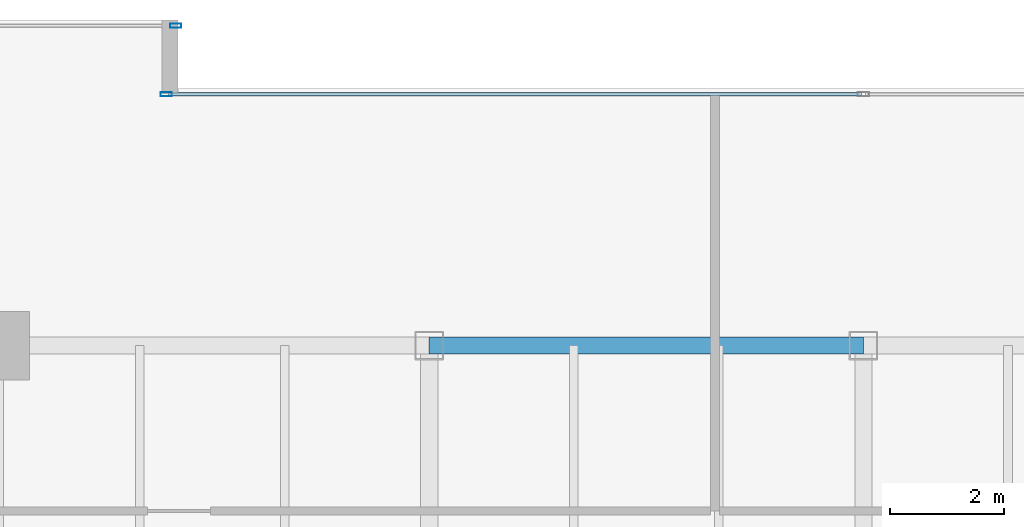
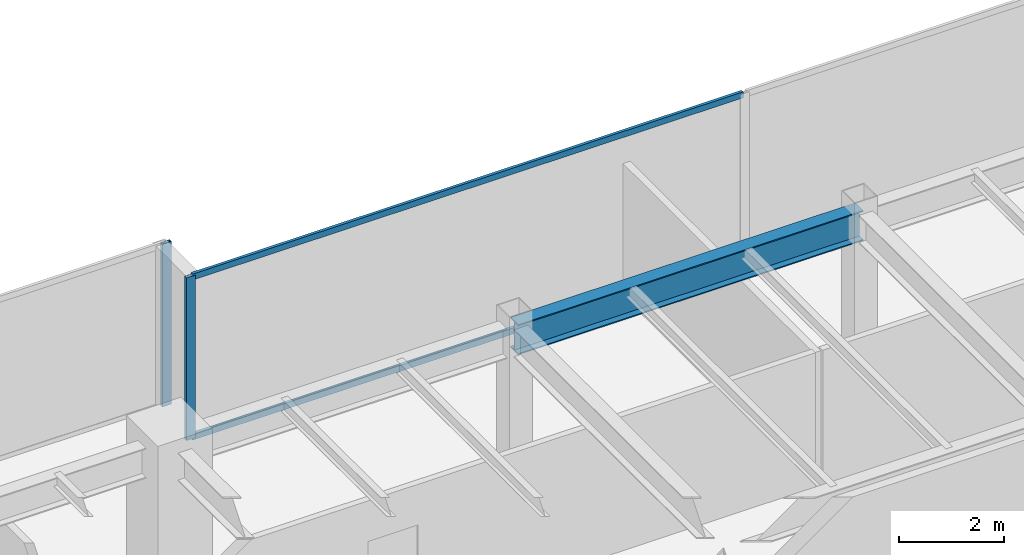
# One storey, part 16 of 30: 4 members, 1 beam, 2 elements without a shape of their own.
"""IFC4 building model written with IfcOpenShell, lengths in metres."""

from ifc_helpers import new_model, si_unit, direction, frame, origin, origin_2d, place, context, subcontext, project, spatial, hollow_rectangle, i_section, extrude, source, transform, mapped, material, layer, layer_set, material_profile, profile_set, type_object, type_shapes, element, aggregate, save


model = new_model("IFC4")

# Units and contexts
model_context = context("Model", 3, precision=1e-05, world=origin(), true_north=direction((0.0, 1.0)))
body_context = subcontext(model_context, "Body", "Model", "MODEL_VIEW")
ifc_project = project(units=[si_unit("LENGTHUNIT", "METRE"), si_unit("AREAUNIT", "SQUARE_METRE"), si_unit("VOLUMEUNIT", "CUBIC_METRE"), si_unit("PLANEANGLEUNIT", "RADIAN"), si_unit("MASSUNIT", "GRAM", prefix="KILO")], contexts=[model_context])

# Site, building, storey
site_placement = place(None, origin())
site = spatial("IfcSite", under=ifc_project, at=site_placement, CompositionType="ELEMENT")
building_placement = place(site_placement, origin())
building = spatial("IfcBuilding", under=site, at=building_placement, Name="Haelvirn Gate Laboratories", CompositionType="ELEMENT")
storey_placement = place(building_placement, frame((0.0, 0.0, 121.5)))
storey = spatial("IfcBuildingStorey", under=building, at=storey_placement, Name="L29", CompositionType="ELEMENT", Elevation=121.5)

# Beam
ifc_material_1 = material(Name="Steel SM355", Category="steel")
ifc_material_profile_1 = material_profile(ifc_material_1, i_section(OverallWidth=0.300048828125, OverallDepth=0.699951171875, WebThickness=0.012939453125, FlangeThickness=0.02392578125, at=origin_2d()), Name="H-700x300x13x24")
ifc_profile_set_1 = profile_set([ifc_material_profile_1], Name="Steel SM355")
beam_type = type_object("IfcBeamType", Name="BM-G-700", PredefinedType="BEAM", material=ifc_profile_set_1)
shared_shape_1 = source(origin(), body_context, "Body", "SweptSolid", [
    extrude(i_section(OverallWidth=0.300048828125, OverallDepth=0.699951171875, WebThickness=0.012939453125, FlangeThickness=0.02392578125, at=origin_2d()), origin(), (0.0, 0.0, 1.0), 7.599853515625),
])
type_shapes(beam_type, [shared_shape_1])
beam_placement = place(storey_placement, frame((29.800048828125, 41.60009765625, 3.43994140625), z_axis=(1.0, 0.0, 0.0), x_axis=(0.0, 1.0, 0.0)))
element("IfcBeam", 1, at=beam_placement, inside=storey, type_object=beam_type, Name="L29 Primary Girder Y41.6 (29.8-37.4)", PredefinedType="BEAM", context=body_context, shape_type="MappedRepresentation", body=[
    mapped(shared_shape_1, transform((0.0, 0.0, 0.0), scale=1.0)),
])

# Curtain wall, members
ifc_material_2 = material(Name="Anodised bronze unitised aluminium & triple low-E glass", Category="aluminium")
ifc_layer = layer(ifc_material_2, 0.179931640625, Name="CW-SYS-3")
ifc_layer_set = layer_set([ifc_layer], Name="Anodised bronze unitised aluminium & triple low-E glass")
curtain_wall_type = type_object("IfcCurtainWallType", Name="CW-SYS-3", PredefinedType="NOTDEFINED", material=ifc_layer_set)
curtain_wall_1_placement = place(storey_placement, origin())
curtain_wall_1 = element("IfcCurtainWall", 2, at=curtain_wall_1_placement, inside=storey, type_object=curtain_wall_type, Name="L29 Unitised Curtain Wall CW-L29-P0-E12-1", PredefinedType="NOTDEFINED")
ifc_material_3 = material(Name="Extruded aluminium 6063-T6 (anodised bronze)", Category="aluminium")
ifc_material_profile_2 = material_profile(ifc_material_3, hollow_rectangle(XDim=0.06494140625, YDim=0.139892578125, WallThickness=0.00390625, at=origin_2d()), Name="CWT-140x65x4")
ifc_profile_set_2 = profile_set([ifc_material_profile_2], Name="Extruded aluminium 6063-T6 (anodised bronze)")
member_type_1 = type_object("IfcMemberType", Name="CWT-T140", PredefinedType="USERDEFINED", material=ifc_profile_set_2)
shared_shape_2 = source(origin(), body_context, "Body", "SweptSolid", [
    extrude(hollow_rectangle(XDim=0.06494140625, YDim=0.139892578125, WallThickness=0.00390625, at=origin_2d()), origin(), (0.0, 0.0, 1.0), 12.12744140625),
])
type_shapes(member_type_1, [shared_shape_2])
member_1_placement = place(storey_placement, frame((25.235107421875, 46.0, 0.032470703125), z_axis=(1.0, 0.0, 0.0), x_axis=(0.0, 1.0, 0.0)))
member_1 = element("IfcMember", 3, at=member_1_placement, type_object=member_type_1, Name="CW3 transom 1.1", ObjectType="TRANSOM", PredefinedType="USERDEFINED", context=body_context, shape_type="MappedRepresentation", body=[
    mapped(shared_shape_2, transform((0.0, 0.0, 0.0), scale=1.0)),
])
member_2_placement = place(storey_placement, frame((25.235107421875, 46.0, 3.757568359375), z_axis=(1.0, 0.0, 0.0), x_axis=(0.0, 1.0, 0.0)))
member_2 = element("IfcMember", 4, at=member_2_placement, type_object=member_type_1, Name="CW3 transom 1.2", ObjectType="TRANSOM", PredefinedType="USERDEFINED", context=body_context, shape_type="MappedRepresentation", body=[
    mapped(shared_shape_2, transform((0.0, 0.0, 0.0), scale=1.0)),
])
ifc_material_profile_3 = material_profile(ifc_material_3, hollow_rectangle(XDim=0.074951171875, YDim=0.199951171875, WallThickness=0.0048828125, at=origin_2d()), Name="CWM-200x75x5")
ifc_profile_set_3 = profile_set([ifc_material_profile_3], Name="Extruded aluminium 6063-T6 (anodised bronze)")
member_type_2 = type_object("IfcMemberType", Name="CWM-T200", PredefinedType="MULLION", material=ifc_profile_set_3)
shared_shape_3 = source(origin(), body_context, "Body", "SweptSolid", [
    extrude(hollow_rectangle(XDim=0.074951171875, YDim=0.199951171875, WallThickness=0.0048828125, at=origin_2d()), origin(), (0.0, 0.0, 1.0), 3.7900390625),
])
type_shapes(member_type_2, [shared_shape_3])
member_3_placement = place(storey_placement, frame((25.197509765625, 46.0, 0.0), z_axis=(0.0, 0.0, 1.0), x_axis=(0.0, 1.0, 0.0)))
member_3 = element("IfcMember", 5, at=member_3_placement, type_object=member_type_2, Name="CW3 mullion 1", PredefinedType="MULLION", context=body_context, shape_type="MappedRepresentation", body=[
    mapped(shared_shape_3, transform((0.0, 0.0, 0.0), scale=1.0)),
])
aggregate(curtain_wall_1, [member_3, member_1, member_2])

# Curtain wall, member
curtain_wall_2_placement = place(storey_placement, origin())
curtain_wall_2 = element("IfcCurtainWall", 6, at=curtain_wall_2_placement, inside=storey, type_object=curtain_wall_type, Name="L29 Unitised Curtain Wall CW-L29-P0-E14-1", PredefinedType="NOTDEFINED")
member_4_placement = place(storey_placement, frame((25.362548828125, 47.199951171875, 0.0), z_axis=(0.0, 0.0, 1.0), x_axis=(0.0, 1.0, 0.0)))
member_4 = element("IfcMember", 7, at=member_4_placement, type_object=member_type_2, Name="CW3 mullion 3", PredefinedType="MULLION", context=body_context, shape_type="MappedRepresentation", body=[
    mapped(shared_shape_3, transform((0.0, 0.0, 0.0), scale=1.0)),
])
aggregate(curtain_wall_2, [member_4])

save(model, "model.ifc")
